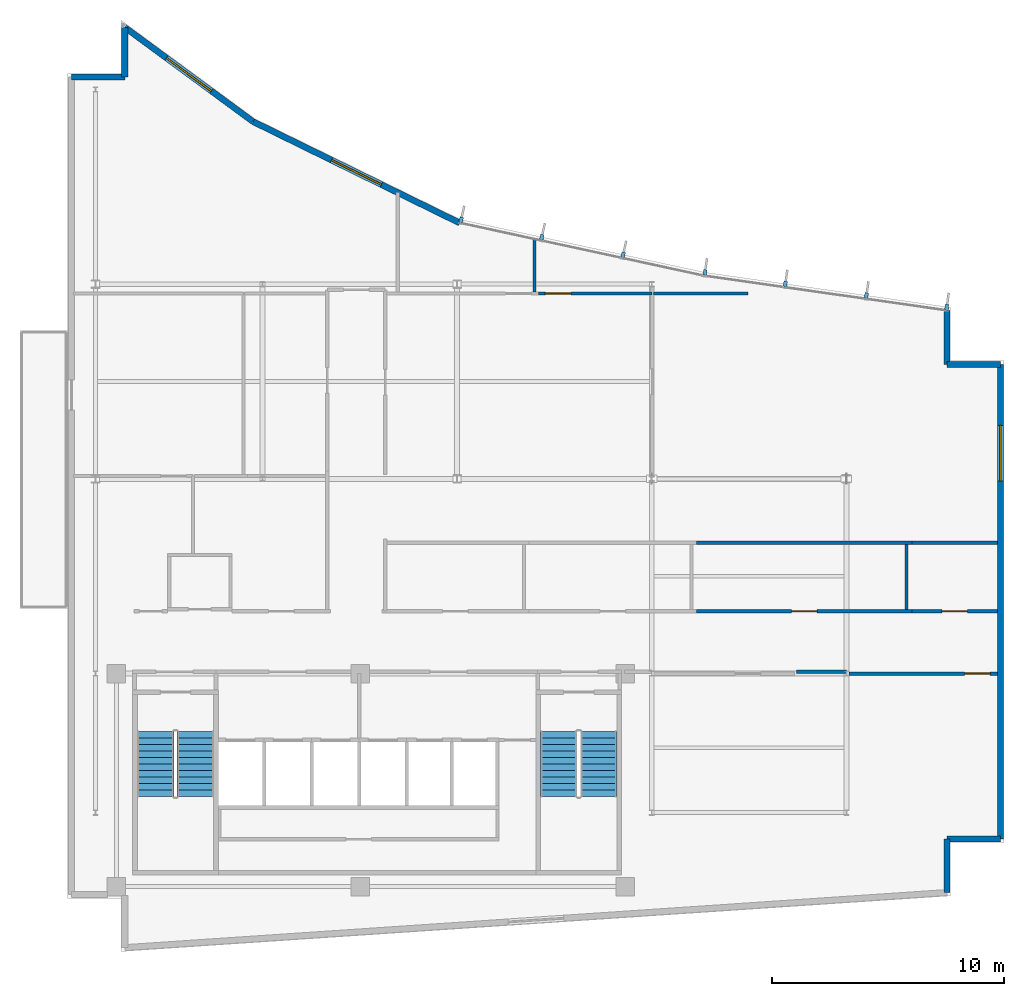
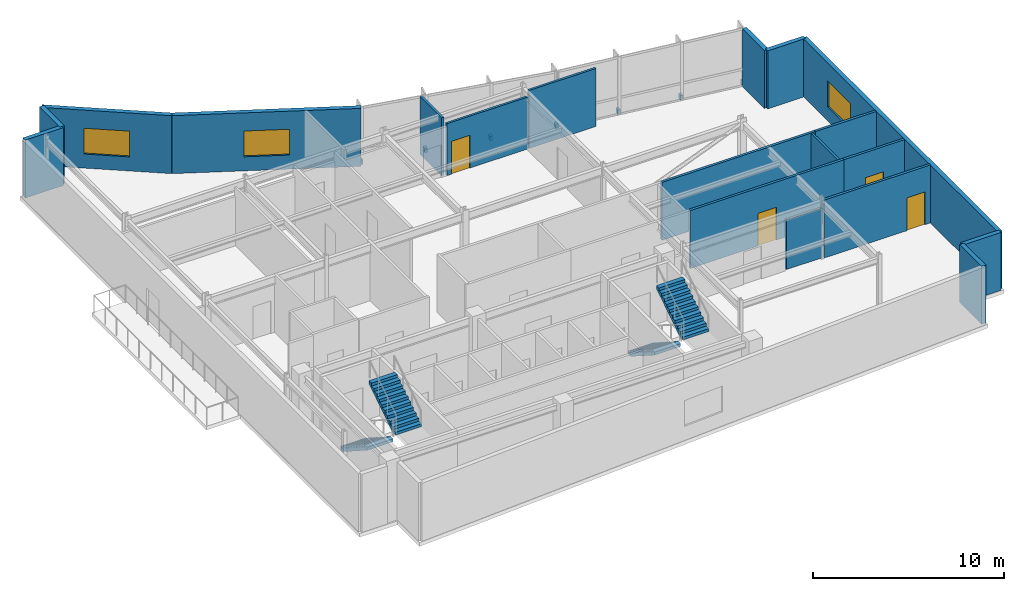
# One storey, part 13 of 16: 19 walls, 7 discrete accessories, 4 doors, 4 stair flights, 3 windows, 7 openings, 2 elements without a shape of their own.
"""IFC4 building model written with IfcOpenShell, lengths in metres."""

from ifc_helpers import new_model, si_unit, direction, frame, frame_2d, origin, origin_2d, place, context, subcontext, project, spatial, polyline, rectangle, outline, extrude, material, layer, layer_set, type_object, element, fill, aggregate, save


model = new_model("IFC4")

# Units and contexts
model_context = context("Model", 3, precision=1e-05, world=origin(), true_north=direction((0.0, 1.0)))
body_context = subcontext(model_context, "Body", "Model", "MODEL_VIEW")
ifc_project = project(units=[si_unit("LENGTHUNIT", "METRE"), si_unit("AREAUNIT", "SQUARE_METRE"), si_unit("VOLUMEUNIT", "CUBIC_METRE"), si_unit("PLANEANGLEUNIT", "RADIAN"), si_unit("MASSUNIT", "GRAM", prefix="KILO")], contexts=[model_context])

# Site, building, storey
site_placement = place(None, origin())
site = spatial("IfcSite", under=ifc_project, at=site_placement, CompositionType="ELEMENT")
building_placement = place(site_placement, origin())
building = spatial("IfcBuilding", under=site, at=building_placement, Name="Varnakote Quay Hospital", CompositionType="ELEMENT")
storey_placement = place(building_placement, frame((0.0, 0.0, 288.14990234375)))
storey = spatial("IfcBuildingStorey", under=building, at=storey_placement, Name="L71", CompositionType="ELEMENT", Elevation=288.14990234375)

# Walls
ifc_material_1 = material(Name="Fire-rated acoustic gypsum stud wall", Category="gypsum")
ifc_layer_1 = layer(ifc_material_1, 0.159912109375)
ifc_layer_set_1 = layer_set([ifc_layer_1], Name="Fire-rated acoustic gypsum stud wall")
wall_type_1 = type_object("IfcWallType", Name="WL-COMP-160", PredefinedType="PARTITIONING", material=ifc_layer_set_1)
wall_1_placement = place(storey_placement, frame((31.439208984375, 12.080078125, 0.0), z_axis=(0.0, 0.0, 1.0), x_axis=(1.0, 0.0, 0.0)))
element("IfcWall", 1, at=wall_1_placement, inside=storey, type_object=wall_type_1, Name="L71 Corridor South Gap Wall", PredefinedType="PARTITIONING", context=body_context, shape_type="SweptSolid", body=[
    extrude(rectangle(XDim=2.174072265625, YDim=0.159912109375, at=frame_2d((1.0869140625, 0.0))), origin(), (0.0, 0.0, 1.0), 3.156982421875),
])
ifc_material_2 = material(Name="Precast concrete N50 (f'c 50 MPa)", Category="concrete")
ifc_layer_2 = layer(ifc_material_2, 0.260009765625)
ifc_layer_set_2 = layer_set([ifc_layer_2], Name="Precast concrete N50 (f'c 50 MPa)")
wall_type_2 = type_object("IfcWallType", Name="WL-EXT-BRICK-260", PredefinedType="STANDARD", material=ifc_layer_set_2)
wall_2_placement = place(storey_placement, frame((37.93994140625, 2.549560546875, 0.0), z_axis=(0.0, 0.0, 1.0), x_axis=(0.0, 1.0, 0.0)))
element("IfcWall", 2, at=wall_2_placement, inside=storey, type_object=wall_type_2, Name="L71 Brick-Faced Precast Exterior Wall", PredefinedType="STANDARD", context=body_context, shape_type="SweptSolid", body=[
    extrude(rectangle(XDim=2.310546875, YDim=0.260009765625, at=frame_2d((1.1552734375, 0.0))), origin(), (0.0, 0.0, 1.0), 3.710205078125),
])
wall_3_placement = place(storey_placement, frame((37.93994140625, 4.860107421875, 0.0), z_axis=(0.0, 0.0, 1.0), x_axis=(1.0, 0.0, 0.0)))
element("IfcWall", 3, at=wall_3_placement, inside=storey, type_object=wall_type_2, Name="L71 Brick-Faced Precast Exterior Wall", PredefinedType="STANDARD", context=body_context, shape_type="SweptSolid", body=[
    extrude(rectangle(XDim=2.300048828125, YDim=0.260009765625, at=frame_2d((1.14990234375, 0.0))), origin(), (0.0, 0.0, 1.0), 3.710205078125),
])

# Wall, opening, window
wall_4_placement = place(storey_placement, frame((40.239990234375, 4.860107421875, 0.0), z_axis=(0.0, 0.0, 1.0), x_axis=(0.0, 1.0, 0.0)))
wall_4 = element("IfcWall", 4, at=wall_4_placement, inside=storey, type_object=wall_type_2, Name="L71 Brick-Faced Precast Exterior Wall", PredefinedType="STANDARD", context=body_context, shape_type="SweptSolid", body=[
    extrude(rectangle(XDim=20.47998046875, YDim=0.260009765625, at=frame_2d((10.239990234375, 0.0))), origin(), (0.0, 0.0, 1.0), 3.710205078125),
])
opening_1_placement = place(wall_4_placement, frame((15.445068359375, 0.0, 0.89990234375)))
opening_1 = element("IfcOpeningElement", 5, at=opening_1_placement, cuts=wall_4, Name="Opening WN-0287", PredefinedType="OPENING", context=body_context, shape_type="SweptSolid", body=[
    extrude(rectangle(XDim=2.39990234375, YDim=1.64990234375, at=frame_2d((1.199951171875, 0.824951171875))), frame((0.0, 0.139892578125, 0.0), z_axis=(0.0, -1.0, 0.0), x_axis=(1.0, 0.0, 0.0)), (0.0, 0.0, 1.0), 0.280029296875),
])
ifc_material_3 = material(Name="Double-glazed low-E solar glass", Category="glass")
window_type = type_object("IfcWindowType", Name="WIN-CLIN-2400x1650", PartitioningType="SINGLE_PANEL", PredefinedType="WINDOW", material=ifc_material_3)
window_1_placement = place(opening_1_placement, origin())
window_1 = element("IfcWindow", 6, at=window_1_placement, inside=storey, type_object=window_type, Name="L71 Solar-Control Clinical Window", OverallHeight=1.64990234375, OverallWidth=2.39990234375, PartitioningType="SINGLE_PANEL", PredefinedType="WINDOW", context=body_context, shape_type="SweptSolid", body=[
    extrude(rectangle(XDim=2.39990234375, YDim=1.64990234375, at=frame_2d((1.199951171875, 0.824951171875))), frame((0.0, 0.030029296875, 0.0), z_axis=(0.0, -1.0, 0.0), x_axis=(1.0, 0.0, 0.0)), (0.0, 0.0, 1.0), 0.06005859375),
])
fill(opening_1, window_1)

# Walls
wall_5_placement = place(storey_placement, frame((40.239990234375, 25.340087890625, 0.0), z_axis=(0.0, 0.0, 1.0), x_axis=(-1.0, 0.0, 0.0)))
element("IfcWall", 7, at=wall_5_placement, inside=storey, type_object=wall_type_2, Name="L71 Brick-Faced Precast Exterior Wall", PredefinedType="STANDARD", context=body_context, shape_type="SweptSolid", body=[
    extrude(rectangle(XDim=2.300048828125, YDim=0.260009765625, at=frame_2d((1.14990234375, 0.0))), origin(), (0.0, 0.0, 1.0), 3.710205078125),
])
wall_6_placement = place(storey_placement, frame((37.93994140625, 25.340087890625, 0.0), z_axis=(0.0, 0.0, 1.0), x_axis=(0.0, 1.0, 0.0)))
element("IfcWall", 8, at=wall_6_placement, inside=storey, type_object=wall_type_2, Name="L71 Brick-Faced Precast Exterior Wall", PredefinedType="STANDARD", context=body_context, shape_type="SweptSolid", body=[
    extrude(rectangle(XDim=2.3212890625, YDim=0.260009765625, at=frame_2d((1.16064453125, 0.0))), origin(), (0.0, 0.0, 1.0), 3.710205078125),
])

# Wall, opening, window
wall_7_placement = place(storey_placement, frame((16.9150390625, 31.439697265625, 0.0), z_axis=(0.0, 0.0, 1.0), x_axis=(-0.897793077248, 0.440417518322, 0.0)))
wall_7 = element("IfcWall", 9, at=wall_7_placement, inside=storey, type_object=wall_type_2, Name="L71 Brick-Faced Precast Exterior Wall", PredefinedType="STANDARD", context=body_context, shape_type="SweptSolid", body=[
    extrude(rectangle(XDim=9.933837890625, YDim=0.260009765625, at=frame_2d((4.966796875, 0.0))), origin(), (0.0, 0.0, 1.0), 3.710205078125),
])
opening_2_placement = place(wall_7_placement, frame((3.766845703125, 0.0, 0.89990234375)))
opening_2 = element("IfcOpeningElement", 10, at=opening_2_placement, cuts=wall_7, Name="Opening WN-0288", PredefinedType="OPENING", context=body_context, shape_type="SweptSolid", body=[
    extrude(rectangle(XDim=2.39990234375, YDim=1.64990234375, at=frame_2d((1.199951171875, 0.824951171875))), frame((0.0, 0.139892578125, 0.0), z_axis=(0.0, -1.0, 0.0), x_axis=(1.0, 0.0, 0.0)), (0.0, 0.0, 1.0), 0.280029296875),
])
window_2_placement = place(opening_2_placement, origin())
window_2 = element("IfcWindow", 11, at=window_2_placement, inside=storey, type_object=window_type, Name="L71 Solar-Control Clinical Window", OverallHeight=1.64990234375, OverallWidth=2.39990234375, PartitioningType="SINGLE_PANEL", PredefinedType="WINDOW", context=body_context, shape_type="SweptSolid", body=[
    extrude(rectangle(XDim=2.39990234375, YDim=1.64990234375, at=frame_2d((1.199951171875, 0.824951171875))), frame((0.0, 0.030029296875, 0.0), z_axis=(0.0, -1.0, 0.0), x_axis=(1.0, 0.0, 0.0)), (0.0, 0.0, 1.0), 0.06005859375),
])
fill(opening_2, window_2)

wall_8_placement = place(storey_placement, frame((7.99658203125, 35.814697265625, 0.0), z_axis=(0.0, 0.0, 1.0), x_axis=(-0.805786654178, 0.592205933733, 0.0)))
wall_8 = element("IfcWall", 12, at=wall_8_placement, inside=storey, type_object=wall_type_2, Name="L71 Brick-Faced Precast Exterior Wall", PredefinedType="STANDARD", context=body_context, shape_type="SweptSolid", body=[
    extrude(rectangle(XDim=6.87109375, YDim=0.260009765625, at=frame_2d((3.435546875, 0.0))), origin(), (0.0, 0.0, 1.0), 3.710205078125),
])
opening_3_placement = place(wall_8_placement, frame((2.235595703125, 0.0, 0.89990234375)))
opening_3 = element("IfcOpeningElement", 13, at=opening_3_placement, cuts=wall_8, Name="Opening WN-0289", PredefinedType="OPENING", context=body_context, shape_type="SweptSolid", body=[
    extrude(rectangle(XDim=2.39990234375, YDim=1.64990234375, at=frame_2d((1.199951171875, 0.824951171875))), frame((0.0, 0.139892578125, 0.0), z_axis=(0.0, -1.0, 0.0), x_axis=(1.0, 0.0, 0.0)), (0.0, 0.0, 1.0), 0.280029296875),
])
window_3_placement = place(opening_3_placement, origin())
window_3 = element("IfcWindow", 14, at=window_3_placement, inside=storey, type_object=window_type, Name="L71 Solar-Control Clinical Window", OverallHeight=1.64990234375, OverallWidth=2.39990234375, PartitioningType="SINGLE_PANEL", PredefinedType="WINDOW", context=body_context, shape_type="SweptSolid", body=[
    extrude(rectangle(XDim=2.39990234375, YDim=1.64990234375, at=frame_2d((1.199951171875, 0.824951171875))), frame((0.0, 0.030029296875, 0.0), z_axis=(0.0, -1.0, 0.0), x_axis=(1.0, 0.0, 0.0)), (0.0, 0.0, 1.0), 0.06005859375),
])
fill(opening_3, window_3)

# Walls
wall_9_placement = place(storey_placement, frame((2.4599609375, 39.8837890625, 0.0), z_axis=(0.0, 0.0, 1.0), x_axis=(0.0, -1.0, 0.0)))
element("IfcWall", 15, at=wall_9_placement, inside=storey, type_object=wall_type_2, Name="L71 Brick-Faced Precast Exterior Wall", PredefinedType="STANDARD", context=body_context, shape_type="SweptSolid", body=[
    extrude(rectangle(XDim=2.143798828125, YDim=0.260009765625, at=frame_2d((1.07177734375, 0.0))), origin(), (0.0, 0.0, 1.0), 3.710205078125),
])
wall_10_placement = place(storey_placement, frame((2.4599609375, 37.739990234375, 0.0), z_axis=(0.0, 0.0, 1.0), x_axis=(-1.0, 0.0, 0.0)))
element("IfcWall", 16, at=wall_10_placement, inside=storey, type_object=wall_type_2, Name="L71 Brick-Faced Precast Exterior Wall", PredefinedType="STANDARD", context=body_context, shape_type="SweptSolid", body=[
    extrude(rectangle(XDim=2.300048828125, YDim=0.260009765625, at=frame_2d((1.14990234375, 0.0))), origin(), (0.0, 0.0, 1.0), 3.710205078125),
])
ifc_material_4 = material(Name="Smoke-proof clinical partition", Category="gypsum")
ifc_layer_3 = layer(ifc_material_4, 0.135009765625)
ifc_layer_set_3 = layer_set([ifc_layer_3], Name="Smoke-proof clinical partition")
wall_type_3 = type_object("IfcWallType", Name="WL-SMOKE-135", PredefinedType="PARTITIONING", material=ifc_layer_set_3)
wall_11_placement = place(storey_placement, frame((36.199951171875, 14.760009765625, 0.0), z_axis=(0.0, 0.0, 1.0), x_axis=(0.0, 1.0, 0.0)))
element("IfcWall", 17, at=wall_11_placement, inside=storey, type_object=wall_type_3, Name="L71 Clinical Interior Partition", PredefinedType="PARTITIONING", context=body_context, shape_type="SweptSolid", body=[
    extrude(rectangle(XDim=2.81005859375, YDim=0.135009765625, at=frame_2d((1.405029296875, 0.0))), origin(), (0.0, 0.0, 1.0), 3.710205078125),
])

# Wall, opening, door
wall_12_placement = place(storey_placement, frame((25.219970703125, 28.39990234375, 0.0), z_axis=(0.0, 0.0, 1.0), x_axis=(-1.0, 0.0, 0.0)))
wall_12 = element("IfcWall", 18, at=wall_12_placement, inside=storey, type_object=wall_type_3, Name="L71 Clinical Interior Partition", PredefinedType="PARTITIONING", context=body_context, shape_type="SweptSolid", body=[
    extrude(rectangle(XDim=4.8994140625, YDim=0.135009765625, at=frame_2d((2.44970703125, 0.0))), origin(), (0.0, 0.0, 1.0), 3.326171875),
])
opening_4_placement = place(wall_12_placement, frame((3.514404296875, 0.0, 0.0)))
opening_4 = element("IfcOpeningElement", 19, at=opening_4_placement, cuts=wall_12, Name="Opening D-L71-MD11", PredefinedType="OPENING", context=body_context, shape_type="SweptSolid", body=[
    extrude(rectangle(XDim=1.10009765625, YDim=2.10009765625, at=frame_2d((0.550048828125, 1.050048828125))), frame((0.0, 0.077392578125, 0.0), z_axis=(0.0, -1.0, 0.0), x_axis=(1.0, 0.0, 0.0)), (0.0, 0.0, 1.0), 0.155029296875),
])
ifc_material_5 = material(Name="Acoustic timber clinical consult door", Category="wood")
door_type = type_object("IfcDoorType", Name="DR-CLIN-FD30S-1100x2100", OperationType="NOTDEFINED", PredefinedType="DOOR", material=ifc_material_5)
door_1_placement = place(opening_4_placement, origin())
door_1 = element("IfcDoor", 20, at=door_1_placement, inside=storey, type_object=door_type, Name="L71 Trauma Coordinator Office Door", OperationType="SINGLE_SWING_LEFT", OverallHeight=2.10009765625, OverallWidth=1.10009765625, PredefinedType="DOOR", context=body_context, shape_type="SweptSolid", body=[
    extrude(rectangle(XDim=1.10009765625, YDim=2.10009765625, at=frame_2d((0.550048828125, 1.050048828125))), frame((0.0, 0.02490234375, 0.0), z_axis=(0.0, -1.0, 0.0), x_axis=(1.0, 0.0, 0.0)), (0.0, 0.0, 1.0), 0.050048828125),
])
fill(opening_4, door_1)

# Walls
wall_13_placement = place(storey_placement, frame((29.348388671875, 28.39990234375, 0.0), z_axis=(0.0, 0.0, 1.0), x_axis=(-1.0, 0.0, 0.0)))
element("IfcWall", 21, at=wall_13_placement, inside=storey, type_object=wall_type_3, Name="L71 Clinical Interior Partition", PredefinedType="PARTITIONING", context=body_context, shape_type="SweptSolid", body=[
    extrude(rectangle(XDim=4.07080078125, YDim=0.135009765625, at=frame_2d((2.035400390625, 0.0))), origin(), (0.0, 0.0, 1.0), 3.710205078125),
])
wall_14_placement = place(storey_placement, frame((20.139892578125, 28.45751953125, 0.0), z_axis=(0.0, 0.0, 1.0), x_axis=(0.0, 1.0, 0.0)))
element("IfcWall", 22, at=wall_14_placement, inside=storey, type_object=wall_type_3, Name="L71 Clinical Interior Partition", PredefinedType="PARTITIONING", context=body_context, shape_type="SweptSolid", body=[
    extrude(rectangle(XDim=2.28466796875, YDim=0.135009765625, at=frame_2d((1.142333984375, 0.0))), origin(), (0.0, 0.0, 1.0), 3.710205078125),
])

# Wall, opening, door
ifc_material_6 = material(Name="Fire-rated clinical gypsum partition", Category="gypsum")
ifc_layer_4 = layer(ifc_material_6, 0.14990234375)
ifc_layer_set_4 = layer_set([ifc_layer_4], Name="Fire-rated clinical gypsum partition")
wall_type_4 = type_object("IfcWallType", Name="WL-WARD-150", PredefinedType="PARTITIONING", material=ifc_layer_set_4)
wall_15_placement = place(storey_placement, frame((40.1201171875, 12.0, 0.0), z_axis=(0.0, 0.0, 1.0), x_axis=(-1.0, 0.0, 0.0)))
wall_15 = element("IfcWall", 23, at=wall_15_placement, inside=storey, type_object=wall_type_4, Name="L71 Clinical Interior Partition", PredefinedType="PARTITIONING", context=body_context, shape_type="SweptSolid", body=[
    extrude(rectangle(XDim=6.417724609375, YDim=0.14990234375, at=frame_2d((3.208984375, 0.0))), origin(), (0.0, 0.0, 1.0), 3.710205078125),
])
opening_5_placement = place(wall_15_placement, frame((0.322998046875, 0.0, 0.0)))
opening_5 = element("IfcOpeningElement", 24, at=opening_5_placement, cuts=wall_15, Name="Opening D-L71-RM1", PredefinedType="OPENING", context=body_context, shape_type="SweptSolid", body=[
    extrude(rectangle(XDim=1.10009765625, YDim=2.10009765625, at=frame_2d((0.550048828125, 1.050048828125))), frame((0.0, 0.0849609375, 0.0), z_axis=(0.0, -1.0, 0.0), x_axis=(1.0, 0.0, 0.0)), (0.0, 0.0, 1.0), 0.169921875),
])
door_2_placement = place(opening_5_placement, origin())
door_2 = element("IfcDoor", 25, at=door_2_placement, inside=storey, type_object=door_type, Name="L71 Cardiac Telemetry Treatment Suite Door", OperationType="SINGLE_SWING_RIGHT", OverallHeight=2.10009765625, OverallWidth=1.10009765625, PredefinedType="DOOR", context=body_context, shape_type="SweptSolid", body=[
    extrude(rectangle(XDim=1.10009765625, YDim=2.10009765625, at=frame_2d((0.550048828125, 1.050048828125))), frame((0.0, 0.02490234375, 0.0), z_axis=(0.0, -1.0, 0.0), x_axis=(1.0, 0.0, 0.0)), (0.0, 0.0, 1.0), 0.050048828125),
])
fill(opening_5, door_2)

wall_16_placement = place(storey_placement, frame((36.426025390625, 14.679931640625, 0.0), z_axis=(0.0, 0.0, 1.0), x_axis=(-1.0, 0.0, 0.0)))
wall_16 = element("IfcWall", 26, at=wall_16_placement, inside=storey, type_object=wall_type_4, Name="L71 Clinical Interior Partition", PredefinedType="PARTITIONING", context=body_context, shape_type="SweptSolid", body=[
    extrude(rectangle(XDim=9.2880859375, YDim=0.14990234375, at=frame_2d((4.64404296875, 0.0))), origin(), (0.0, 0.0, 1.0), 3.710205078125),
])
opening_6_placement = place(wall_16_placement, frame((4.093994140625, 0.0, 0.0)))
opening_6 = element("IfcOpeningElement", 27, at=opening_6_placement, cuts=wall_16, Name="Opening D-L71-MD05", PredefinedType="OPENING", context=body_context, shape_type="SweptSolid", body=[
    extrude(rectangle(XDim=1.10009765625, YDim=2.10009765625, at=frame_2d((0.550048828125, 1.050048828125))), frame((0.0, 0.0849609375, 0.0), z_axis=(0.0, -1.0, 0.0), x_axis=(1.0, 0.0, 0.0)), (0.0, 0.0, 1.0), 0.169921875),
])
door_3_placement = place(opening_6_placement, origin())
door_3 = element("IfcDoor", 28, at=door_3_placement, inside=storey, type_object=door_type, Name="L71 Ward Clinical Consultation Office Door", OperationType="SINGLE_SWING_LEFT", OverallHeight=2.10009765625, OverallWidth=1.10009765625, PredefinedType="DOOR", context=body_context, shape_type="SweptSolid", body=[
    extrude(rectangle(XDim=1.10009765625, YDim=2.10009765625, at=frame_2d((0.550048828125, 1.050048828125))), frame((0.0, 0.02490234375, 0.0), z_axis=(0.0, -1.0, 0.0), x_axis=(1.0, 0.0, 0.0)), (0.0, 0.0, 1.0), 0.050048828125),
])
fill(opening_6, door_3)

wall_17_placement = place(storey_placement, frame((40.1201171875, 14.679931640625, 0.0), z_axis=(0.0, 0.0, 1.0), x_axis=(-1.0, 0.0, 0.0)))
wall_17 = element("IfcWall", 29, at=wall_17_placement, inside=storey, type_object=wall_type_4, Name="L71 Clinical Interior Partition", PredefinedType="PARTITIONING", context=body_context, shape_type="SweptSolid", body=[
    extrude(rectangle(XDim=3.692138671875, YDim=0.14990234375, at=frame_2d((1.84619140625, 0.0))), origin(), (0.0, 0.0, 1.0), 3.710205078125),
])
opening_7_placement = place(wall_17_placement, frame((1.2958984375, 0.0, 0.0)))
opening_7 = element("IfcOpeningElement", 30, at=opening_7_placement, cuts=wall_17, Name="Opening D-L71-MD06", PredefinedType="OPENING", context=body_context, shape_type="SweptSolid", body=[
    extrude(rectangle(XDim=1.10009765625, YDim=2.10009765625, at=frame_2d((0.550048828125, 1.050048828125))), frame((0.0, 0.0849609375, 0.0), z_axis=(0.0, -1.0, 0.0), x_axis=(1.0, 0.0, 0.0)), (0.0, 0.0, 1.0), 0.169921875),
])
door_4_placement = place(opening_7_placement, origin())
door_4 = element("IfcDoor", 31, at=door_4_placement, inside=storey, type_object=door_type, Name="L71 Trauma Step-Down Treatment Suite Door", OperationType="SINGLE_SWING_RIGHT", OverallHeight=2.10009765625, OverallWidth=1.10009765625, PredefinedType="DOOR", context=body_context, shape_type="SweptSolid", body=[
    extrude(rectangle(XDim=1.10009765625, YDim=2.10009765625, at=frame_2d((0.550048828125, 1.050048828125))), frame((0.0, 0.02490234375, 0.0), z_axis=(0.0, -1.0, 0.0), x_axis=(1.0, 0.0, 0.0)), (0.0, 0.0, 1.0), 0.050048828125),
])
fill(opening_7, door_4)

# Walls
wall_18_placement = place(storey_placement, frame((27.137939453125, 17.64990234375, 0.0), z_axis=(0.0, 0.0, 1.0), x_axis=(1.0, 0.0, 0.0)))
element("IfcWall", 32, at=wall_18_placement, inside=storey, type_object=wall_type_4, Name="L71 Clinical Interior Partition", PredefinedType="PARTITIONING", context=body_context, shape_type="SweptSolid", body=[
    extrude(rectangle(XDim=9.2880859375, YDim=0.14990234375, at=frame_2d((4.64404296875, 0.0))), origin(), (0.0, 0.0, 1.0), 3.710205078125),
])
wall_19_placement = place(storey_placement, frame((36.427978515625, 17.64990234375, 0.0), z_axis=(0.0, 0.0, 1.0), x_axis=(1.0, 0.0, 0.0)))
element("IfcWall", 33, at=wall_19_placement, inside=storey, type_object=wall_type_4, Name="L71 Clinical Interior Partition", PredefinedType="PARTITIONING", context=body_context, shape_type="SweptSolid", body=[
    extrude(rectangle(XDim=3.692138671875, YDim=0.14990234375, at=frame_2d((1.84619140625, 0.0))), origin(), (0.0, 0.0, 1.0), 3.710205078125),
])

# Stair, stair flights
ifc_material_7 = material(Name="Concrete N40 (f'c 40 MPa)", Category="concrete")
stair_type = type_object("IfcStairType", Name="STR-CORE-1580", PredefinedType="HALF_TURN_STAIR", material=ifc_material_7)
stair_1_placement = place(storey_placement, origin())
stair_1 = element("IfcStair", 34, at=stair_1_placement, inside=storey, type_object=stair_type, Name="L71 Fire-Isolated Exit Stair ST-01", PredefinedType="HALF_TURN_STAIR")
ifc_material_8 = material(Name="Concrete N40 (f'c 40 MPa)", Category="concrete")
ifc_layer_5 = layer(ifc_material_8, 0.159912109375)
ifc_layer_set_5 = layer_set([ifc_layer_5], Name="Concrete N40 (f'c 40 MPa)")
stair_flight_type = type_object("IfcStairFlightType", Name="FLT-CORE-1580", PredefinedType="STRAIGHT", material=ifc_layer_set_5)
stair_flight_1_placement = place(storey_placement, frame((3.7900390625, 9.5, 0.0), z_axis=(0.0, 0.0, 1.0), x_axis=(0.0, -1.0, 0.0)))
stair_flight_1 = element("IfcStairFlight", 35, at=stair_flight_1_placement, type_object=stair_flight_type, Name="ST-01 flight 1", NumberOfRisers=11, NumberOfTreads=10, PredefinedType="STRAIGHT", RiserHeight=0.179545455, TreadLength=0.28, context=body_context, shape_type="SweptSolid", body=[
    extrude(outline(polyline([(0.0, 0.0), (0.0, 0.179443359375), (0.280029296875, 0.179443359375), (0.280029296875, 0.359130859375), (0.56005859375, 0.359130859375), (0.56005859375, 0.53857421875), (0.840087890625, 0.53857421875), (0.840087890625, 0.71826171875), (1.1201171875, 0.71826171875), (1.1201171875, 0.897705078125), (1.39990234375, 0.897705078125), (1.39990234375, 1.077392578125), (1.679931640625, 1.077392578125), (1.679931640625, 1.2568359375), (1.9599609375, 1.2568359375), (1.9599609375, 1.436279296875), (2.239990234375, 1.436279296875), (2.239990234375, 1.615966796875), (2.52001953125, 1.615966796875), (2.52001953125, 1.79541015625), (2.800048828125, 1.79541015625), (2.800048828125, 1.97509765625), (2.800048828125, 1.60546875), (0.296142578125, 0.0), (0.0, 0.0)])), frame((0.0, 0.7900390625, 0.0), z_axis=(0.0, -1.0, 0.0), x_axis=(1.0, 0.0, 0.0)), (0.0, 0.0, 1.0), 1.580078125),
])
stair_flight_2_placement = place(storey_placement, frame((5.510009765625, 6.699951171875, 1.97509765625), z_axis=(0.0, 0.0, 1.0), x_axis=(0.0, 1.0, 0.0)))
stair_flight_2 = element("IfcStairFlight", 36, at=stair_flight_2_placement, type_object=stair_flight_type, Name="ST-01 flight 2", NumberOfRisers=11, NumberOfTreads=10, PredefinedType="STRAIGHT", RiserHeight=0.179545455, TreadLength=0.28, context=body_context, shape_type="SweptSolid", body=[
    extrude(outline(polyline([(0.0, 0.0), (0.0, 0.179443359375), (0.280029296875, 0.179443359375), (0.280029296875, 0.359130859375), (0.56005859375, 0.359130859375), (0.56005859375, 0.53857421875), (0.840087890625, 0.53857421875), (0.840087890625, 0.71826171875), (1.1201171875, 0.71826171875), (1.1201171875, 0.897705078125), (1.39990234375, 0.897705078125), (1.39990234375, 1.077392578125), (1.679931640625, 1.077392578125), (1.679931640625, 1.2568359375), (1.9599609375, 1.2568359375), (1.9599609375, 1.436279296875), (2.239990234375, 1.436279296875), (2.239990234375, 1.615966796875), (2.52001953125, 1.615966796875), (2.52001953125, 1.79541015625), (2.800048828125, 1.79541015625), (2.800048828125, 1.97509765625), (2.800048828125, 1.60546875), (0.296142578125, 0.0), (0.0, 0.0)])), frame((0.0, 0.7900390625, 0.0), z_axis=(0.0, -1.0, 0.0), x_axis=(1.0, 0.0, 0.0)), (0.0, 0.0, 1.0), 1.580078125),
])
aggregate(stair_1, [stair_flight_1, stair_flight_2])

stair_2_placement = place(storey_placement, origin())
stair_2 = element("IfcStair", 37, at=stair_2_placement, inside=storey, type_object=stair_type, Name="L71 Fire-Isolated Exit Stair ST-02", PredefinedType="HALF_TURN_STAIR")
stair_flight_3_placement = place(storey_placement, frame((21.18994140625, 9.5, 0.0), z_axis=(0.0, 0.0, 1.0), x_axis=(0.0, -1.0, 0.0)))
stair_flight_3 = element("IfcStairFlight", 38, at=stair_flight_3_placement, type_object=stair_flight_type, Name="ST-02 flight 1", NumberOfRisers=11, NumberOfTreads=10, PredefinedType="STRAIGHT", RiserHeight=0.179545455, TreadLength=0.28, context=body_context, shape_type="SweptSolid", body=[
    extrude(outline(polyline([(0.0, 0.0), (0.0, 0.179443359375), (0.280029296875, 0.179443359375), (0.280029296875, 0.359130859375), (0.56005859375, 0.359130859375), (0.56005859375, 0.53857421875), (0.840087890625, 0.53857421875), (0.840087890625, 0.71826171875), (1.1201171875, 0.71826171875), (1.1201171875, 0.897705078125), (1.39990234375, 0.897705078125), (1.39990234375, 1.077392578125), (1.679931640625, 1.077392578125), (1.679931640625, 1.2568359375), (1.9599609375, 1.2568359375), (1.9599609375, 1.436279296875), (2.239990234375, 1.436279296875), (2.239990234375, 1.615966796875), (2.52001953125, 1.615966796875), (2.52001953125, 1.79541015625), (2.800048828125, 1.79541015625), (2.800048828125, 1.97509765625), (2.800048828125, 1.60546875), (0.296142578125, 0.0), (0.0, 0.0)])), frame((0.0, 0.7900390625, 0.0), z_axis=(0.0, -1.0, 0.0), x_axis=(1.0, 0.0, 0.0)), (0.0, 0.0, 1.0), 1.580078125),
])
stair_flight_4_placement = place(storey_placement, frame((22.909912109375, 6.699951171875, 1.97509765625), z_axis=(0.0, 0.0, 1.0), x_axis=(0.0, 1.0, 0.0)))
stair_flight_4 = element("IfcStairFlight", 39, at=stair_flight_4_placement, type_object=stair_flight_type, Name="ST-02 flight 2", NumberOfRisers=11, NumberOfTreads=10, PredefinedType="STRAIGHT", RiserHeight=0.179545455, TreadLength=0.28, context=body_context, shape_type="SweptSolid", body=[
    extrude(outline(polyline([(0.0, 0.0), (0.0, 0.179443359375), (0.280029296875, 0.179443359375), (0.280029296875, 0.359130859375), (0.56005859375, 0.359130859375), (0.56005859375, 0.53857421875), (0.840087890625, 0.53857421875), (0.840087890625, 0.71826171875), (1.1201171875, 0.71826171875), (1.1201171875, 0.897705078125), (1.39990234375, 0.897705078125), (1.39990234375, 1.077392578125), (1.679931640625, 1.077392578125), (1.679931640625, 1.2568359375), (1.9599609375, 1.2568359375), (1.9599609375, 1.436279296875), (2.239990234375, 1.436279296875), (2.239990234375, 1.615966796875), (2.52001953125, 1.615966796875), (2.52001953125, 1.79541015625), (2.800048828125, 1.79541015625), (2.800048828125, 1.97509765625), (2.800048828125, 1.60546875), (0.296142578125, 0.0), (0.0, 0.0)])), frame((0.0, 0.7900390625, 0.0), z_axis=(0.0, -1.0, 0.0), x_axis=(1.0, 0.0, 0.0)), (0.0, 0.0, 1.0), 1.580078125),
])
aggregate(stair_2, [stair_flight_3, stair_flight_4])

# Discrete accessories
ifc_material_9 = material(Name="Anodised aluminium 6063-T6 Bronze", Category="aluminium")
discrete_accessory_type = type_object("IfcDiscreteAccessoryType", Name="ACC-FIN-BRACKET-180", PredefinedType="BRACKET", material=ifc_material_9)
for number, where, z_axis, x_axis, name in (
    (40, (37.92919921875, 27.814453125, 0.0), (0.0, 0.0, 1.0), (-0.989925048845, 0.141592364445, 0.0), "L71 Curtain Wall Fin Fixing Bracket"),
    (41, (34.46240234375, 28.310302734375, 0.0), (0.0, 0.0, 1.0), (-0.989925048845, 0.141592364445, 0.0), "L71 Curtain Wall Fin Fixing Bracket"),
    (42, (30.963623046875, 28.810546875, 0.0), (0.0, 0.0, 1.0), (-0.989925048845, 0.141592364445, 0.0), "L71 Curtain Wall Fin Fixing Bracket"),
    (43, (27.4970703125, 29.306396484375, 0.0), (0.0, 0.0, 1.0), (-0.989925048845, 0.141592364445, 0.0), "L71 Curtain Wall Fin Fixing Bracket"),
    (44, (23.9658203125, 30.068115234375, 0.0), (0.0, 0.0, 1.0), (-0.977415894286, 0.211324796455, 0.0), "L71 Curtain Wall Fin Fixing Bracket"),
    (45, (20.456298828125, 30.8271484375, 0.0), (0.0, 0.0, 1.0), (-0.977415894286, 0.211324796455, 0.0), "L71 Curtain Wall Fin Fixing Bracket"),
    (46, (16.978515625, 31.579345703125, 0.0), (0.0, 0.0, 1.0), (-0.977415894286, 0.211324796455, 0.0), "L71 Curtain Wall Fin Fixing Bracket"),
):
    element("IfcDiscreteAccessory", number, at=place(storey_placement, frame(where, z_axis=z_axis, x_axis=x_axis)), inside=storey, type_object=discrete_accessory_type, Name=name, PredefinedType="BRACKET", context=body_context, shape_type="SweptSolid", body=[
        extrude(rectangle(XDim=0.159912109375, YDim=0.239990234375, at=origin_2d()), origin(), (0.0, 0.0, 1.0), 0.280029296875),
    ])

save(model, "model.ifc")
